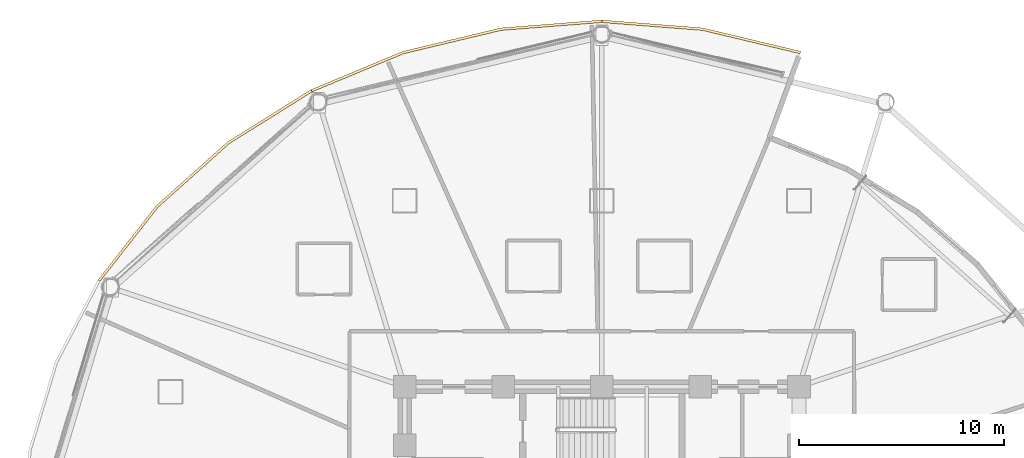
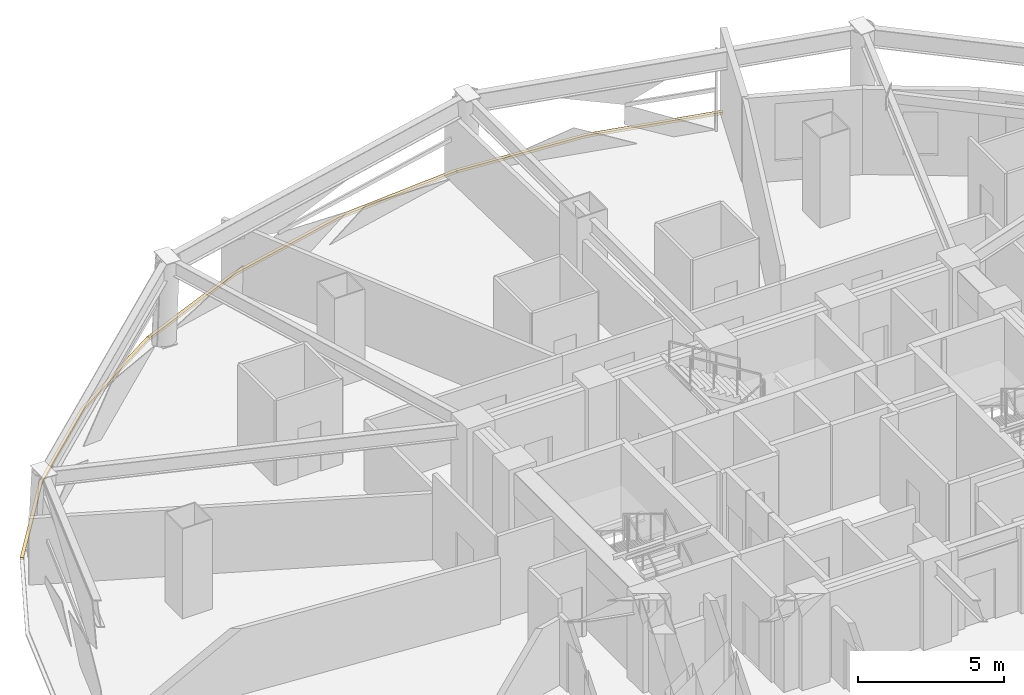
# One storey, part 16 of 16: 3 coverings.
"""IFC4 building model written with IfcOpenShell, lengths in metres."""

from ifc_helpers import new_model, si_unit, direction, frame, origin, place, context, subcontext, project, spatial, polyline, outline, extrude, material, layer, layer_set, type_object, element, save


model = new_model("IFC4")

# Units and contexts
model_context = context("Model", 3, precision=1e-05, world=origin(), true_north=direction((0.0, 1.0)))
body_context = subcontext(model_context, "Body", "Model", "MODEL_VIEW")
ifc_project = project(units=[si_unit("LENGTHUNIT", "METRE"), si_unit("AREAUNIT", "SQUARE_METRE"), si_unit("VOLUMEUNIT", "CUBIC_METRE"), si_unit("PLANEANGLEUNIT", "RADIAN"), si_unit("MASSUNIT", "GRAM", prefix="KILO")], contexts=[model_context])

# Site, building, storey
site_placement = place(None, origin())
site = spatial("IfcSite", under=ifc_project, at=site_placement, CompositionType="ELEMENT")
building_placement = place(site_placement, origin())
building = spatial("IfcBuilding", under=site, at=building_placement, Name="Vantalir Tower", CompositionType="ELEMENT")
storey_placement = place(building_placement, frame((0.0, 0.0, 75.75)))
storey = spatial("IfcBuildingStorey", under=building, at=storey_placement, Name="L18", CompositionType="ELEMENT", Elevation=75.75)

# Coverings
ifc_material = material(Name="Anodised champagne aluminium sill fascia", Category="aluminium")
ifc_layer = layer(ifc_material, 0.125)
ifc_layer_set = layer_set([ifc_layer], Name="Anodised champagne aluminium sill fascia")
covering_type = type_object("IfcCoveringType", Name="COV-SLAB-FASCIA-125", PredefinedType="CLADDING", material=ifc_layer_set)
covering_1_placement = place(storey_placement, frame((0.0, 0.0, -0.179931640625)))
element("IfcCovering", 1, at=covering_1_placement, inside=storey, type_object=covering_type, Name="L18 Perimeter Slab-Edge Sill Fascia 03", PredefinedType="CLADDING", context=body_context, shape_type="SweptSolid", body=[
    extrude(outline(polyline([(41.18798828125, 48.778076171875), (36.4189453125, 49.919921875), (31.5, 50.303955078125), (31.5, 50.178955078125), (36.39697265625, 49.7958984375), (41.14501953125, 48.660888671875), (41.18798828125, 48.778076171875)])), origin(), (0.0, 0.0, 1.0), 0.10498046875),
])
covering_2_placement = place(storey_placement, frame((0.0, 0.0, -0.179931640625)))
element("IfcCovering", 2, at=covering_2_placement, inside=storey, type_object=covering_type, Name="L18 Perimeter Slab-Edge Sill Fascia 04", PredefinedType="CLADDING", context=body_context, shape_type="SweptSolid", body=[
    extrude(outline(polyline([(31.5, 50.303955078125), (26.5810546875, 49.919921875), (21.81201171875, 48.778076171875), (17.337890625, 46.9140625), (17.39990234375, 46.805908203125), (21.85498046875, 48.660888671875), (26.60302734375, 49.7958984375), (31.5, 50.178955078125), (31.5, 50.303955078125)])), origin(), (0.0, 0.0, 1.0), 0.10498046875),
])
covering_3_placement = place(storey_placement, frame((0.0, 0.0, -0.179931640625)))
element("IfcCovering", 3, at=covering_3_placement, inside=storey, type_object=covering_type, Name="L18 Perimeter Slab-Edge Sill Fascia 05", PredefinedType="CLADDING", context=body_context, shape_type="SweptSolid", body=[
    extrude(outline(polyline([(17.337890625, 46.9140625), (13.29296875, 44.384033203125), (9.802001953125, 41.264892578125), (6.969970703125, 37.652099609375), (7.077880859375, 37.589111328125), (9.89794921875, 41.18505859375), (13.373046875, 44.2880859375), (17.39990234375, 46.805908203125), (17.337890625, 46.9140625)])), origin(), (0.0, 0.0, 1.0), 0.10498046875),
])

save(model, "model.ifc")
